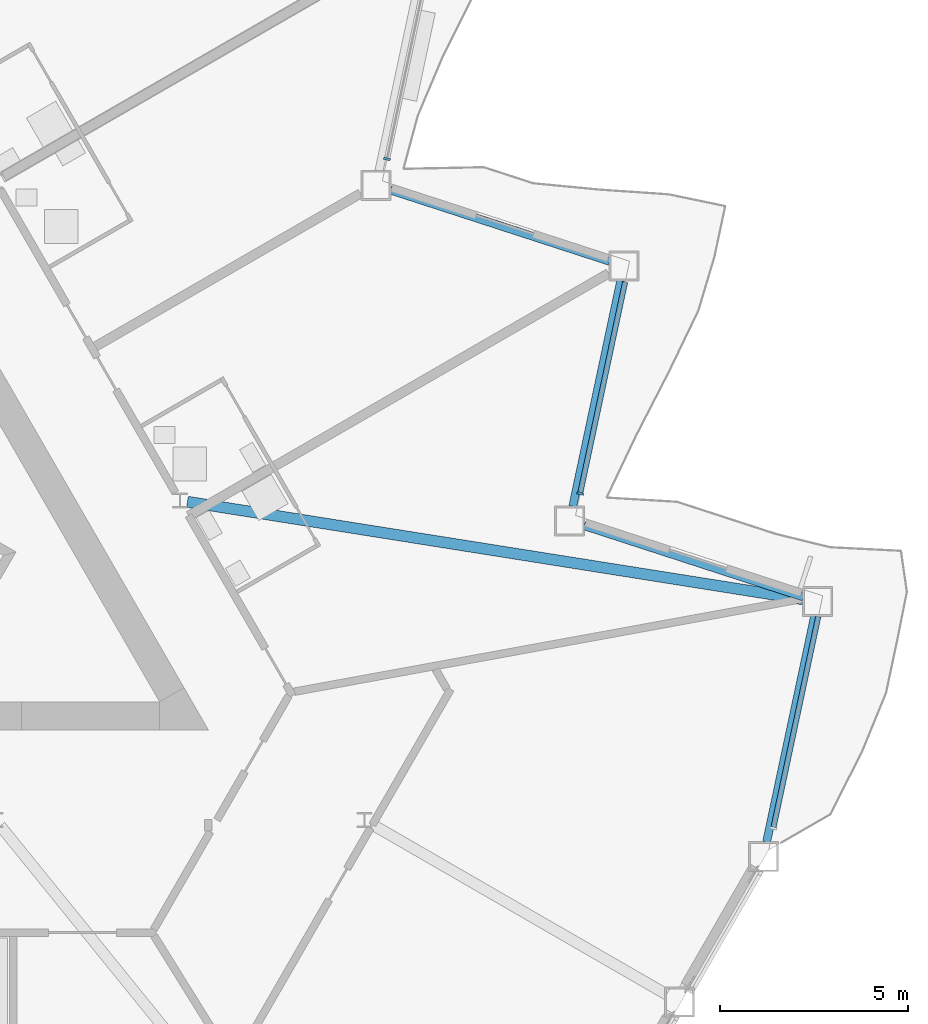
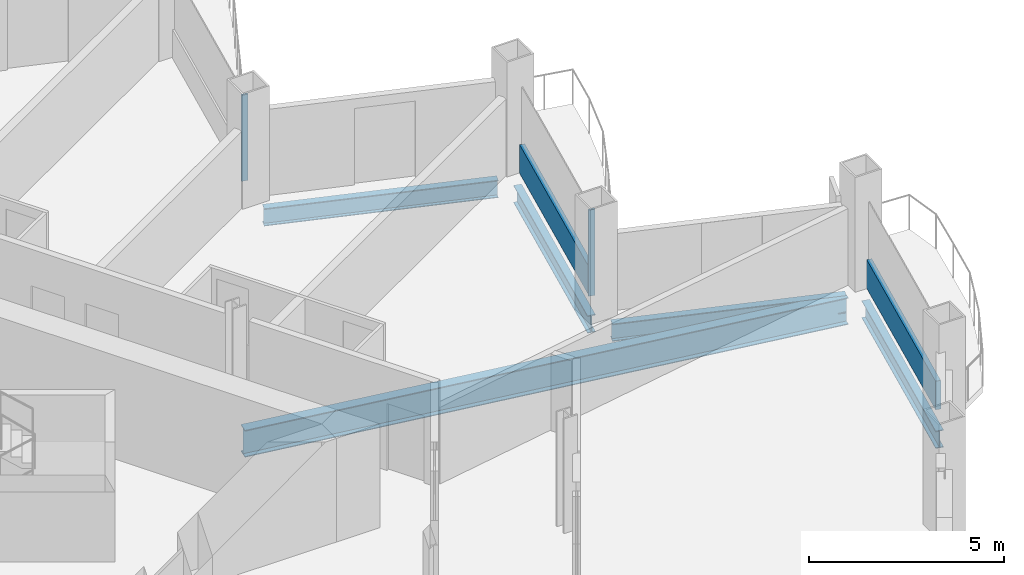
# One storey, part 7 of 24: 5 beams, 4 members, 3 elements without a shape of their own.
"""IFC4 building model written with IfcOpenShell, lengths in metres."""

from ifc_helpers import new_model, si_unit, direction, frame, origin, origin_2d, place, context, subcontext, project, spatial, rectangle, i_section, extrude, material, layer, layer_set, material_profile, profile_set, type_object, element, aggregate, save


model = new_model("IFC4")

# Units and contexts
model_context = context("Model", 3, precision=1e-05, world=origin(), true_north=direction((0.0, 1.0)))
body_context = subcontext(model_context, "Body", "Model", "MODEL_VIEW")
ifc_project = project(units=[si_unit("LENGTHUNIT", "METRE"), si_unit("AREAUNIT", "SQUARE_METRE"), si_unit("VOLUMEUNIT", "CUBIC_METRE"), si_unit("PLANEANGLEUNIT", "RADIAN"), si_unit("MASSUNIT", "GRAM", prefix="KILO")], contexts=[model_context])

# Site, building, storey
site_placement = place(None, origin())
site = spatial("IfcSite", under=ifc_project, at=site_placement, CompositionType="ELEMENT")
building_placement = place(site_placement, origin())
building = spatial("IfcBuilding", under=site, at=building_placement, Name="Cormorant Prow Tower", CompositionType="ELEMENT")
storey_placement = place(building_placement, frame((0.0, 0.0, 205.199951171875)))
storey = spatial("IfcBuildingStorey", under=building, at=storey_placement, Name="L45", CompositionType="ELEMENT", Elevation=205.199951171875)

# Curtain wall, member
ifc_material_1 = material(Name="Aluminium 6063-T6", Category="aluminium")
ifc_layer = layer(ifc_material_1, 0.179931640625)
ifc_layer_set = layer_set([ifc_layer], Name="Aluminium 6063-T6")
curtain_wall_type = type_object("IfcCurtainWallType", Name="Hotel unitised curtain wall 180", PredefinedType="NOTDEFINED", material=ifc_layer_set)
curtain_wall_1_placement = place(storey_placement, origin())
curtain_wall_1 = element("IfcCurtainWall", 1, at=curtain_wall_1_placement, inside=storey, type_object=curtain_wall_type, Name="Hotel curtain wall ENE02", PredefinedType="NOTDEFINED")
ifc_material_2 = material(Name="Aluminium 6063-T6", Category="aluminium")
ifc_material_profile_1 = material_profile(ifc_material_2, rectangle(XDim=0.179931640625, YDim=0.06005859375, at=origin_2d()), Name="Hotel mullion 60x180")
ifc_profile_set_1 = profile_set([ifc_material_profile_1], Name="Aluminium 6063-T6")
member_type_1 = type_object("IfcMemberType", Name="Hotel mullion 60x180", PredefinedType="MULLION", material=ifc_profile_set_1)
member_1_placement = place(storey_placement, frame((25.409423828125, -2.64990234375, 0.0), z_axis=(0.0, 0.0, 1.0), x_axis=(-0.978147605448, 0.207911668641, 0.0)))
member_1 = element("IfcMember", 2, at=member_1_placement, type_object=member_type_1, Name="Hotel mullion ENE02", PredefinedType="MULLION", context=body_context, shape_type="SweptSolid", body=[
    extrude(rectangle(XDim=0.179931640625, YDim=0.06005859375, at=origin_2d()), origin(), (0.0, 0.0, 1.0), 2.700927734375),
])

curtain_wall_2_placement = place(storey_placement, origin())
curtain_wall_2 = element("IfcCurtainWall", 3, at=curtain_wall_2_placement, inside=storey, type_object=curtain_wall_type, Name="Hotel curtain wall ENE04", PredefinedType="NOTDEFINED")
member_2_placement = place(storey_placement, frame((20.261474609375, 6.2666015625, 0.0), z_axis=(0.0, 0.0, 1.0), x_axis=(-0.978147576087, 0.20791180677, 0.0)))
member_2 = element("IfcMember", 4, at=member_2_placement, type_object=member_type_1, Name="Hotel mullion ENE04", PredefinedType="MULLION", context=body_context, shape_type="SweptSolid", body=[
    extrude(rectangle(XDim=0.179931640625, YDim=0.06005859375, at=origin_2d()), origin(), (0.0, 0.0, 1.0), 2.700927734375),
])
aggregate(curtain_wall_2, [member_2])

curtain_wall_3_placement = place(storey_placement, origin())
curtain_wall_3 = element("IfcCurtainWall", 5, at=curtain_wall_3_placement, inside=storey, type_object=curtain_wall_type, Name="Hotel curtain wall ENE00", PredefinedType="NOTDEFINED")
ifc_material_3 = material(Name="Terracotta", Category="masonry")
ifc_material_profile_2 = material_profile(ifc_material_3, rectangle(XDim=0.139892578125, YDim=0.89990234375, at=origin_2d()), Name="Hotel terracotta spandrel rail 140x900")
ifc_profile_set_2 = profile_set([ifc_material_profile_2], Name="Terracotta")
member_type_2 = type_object("IfcMemberType", Name="Hotel terracotta spandrel rail 140x900", PredefinedType="USERDEFINED", material=ifc_profile_set_2)
member_3_placement = place(storey_placement, frame((30.563720703125, -11.537353515625, 0.449951171875), z_axis=(0.207914285886, 0.978147049131, 0.0), x_axis=(-0.978147049131, 0.207914285886, 0.0)))
member_3 = element("IfcMember", 6, at=member_3_placement, type_object=member_type_2, Name="Hotel spandrel rail ENE00", ObjectType="TRANSOM", PredefinedType="USERDEFINED", context=body_context, shape_type="SweptSolid", body=[
    extrude(rectangle(XDim=0.139892578125, YDim=0.89990234375, at=origin_2d()), origin(), (0.0, 0.0, 1.0), 5.7314453125),
])
aggregate(curtain_wall_3, [member_3])

# Member
member_4_placement = place(storey_placement, frame((25.41552734375, -2.62060546875, 0.449951171875), z_axis=(0.207922949153, 0.978145207633, 0.0), x_axis=(-0.978145207633, 0.207922949153, 0.0)))
member_4 = element("IfcMember", 7, at=member_4_placement, type_object=member_type_2, Name="Hotel spandrel rail ENE02", ObjectType="TRANSOM", PredefinedType="USERDEFINED", context=body_context, shape_type="SweptSolid", body=[
    extrude(rectangle(XDim=0.139892578125, YDim=0.89990234375, at=origin_2d()), origin(), (0.0, 0.0, 1.0), 5.731201171875),
])

aggregate(curtain_wall_1, [member_1, member_4])

# Beams
ifc_material_4 = material(Name="Structural steel ASTM A992 Gr 50", Category="steel")
ifc_material_profile_3 = material_profile(ifc_material_4, i_section(OverallWidth=0.29296875, OverallDepth=0.845703125, WebThickness=0.015380859375, FlangeThickness=0.0244140625, at=origin_2d()), Name="W33x141")
ifc_profile_set_3 = profile_set([ifc_material_profile_3], Name="Structural steel ASTM A992 Gr 50")
beam_type_1 = type_object("IfcBeamType", Name="Radial floor beam W33x141", PredefinedType="BEAM", material=ifc_profile_set_3)
beam_1_placement = place(storey_placement, frame((14.94384765625, -2.869140625, -0.77294921875), z_axis=(0.987678058302, -0.156499371084, 0.0), x_axis=(0.156499371084, 0.987678058302, 0.0)))
element("IfcBeam", 8, at=beam_1_placement, inside=storey, type_object=beam_type_1, Name="Radial floor beam FB2 10 L45", PredefinedType="BEAM", context=body_context, shape_type="SweptSolid", body=[
    extrude(i_section(OverallWidth=0.29296875, OverallDepth=0.845703125, WebThickness=0.015380859375, FlangeThickness=0.0244140625, at=origin_2d()), origin(), (0.0, 0.0, 1.0), 16.604736328125),
])
ifc_material_5 = material(Name="Structural steel ASTM A992 Gr 50", Category="steel")
ifc_material_profile_4 = material_profile(ifc_material_5, i_section(OverallWidth=0.2138671875, OverallDepth=0.549072265625, WebThickness=0.0146484375, FlangeThickness=0.023681640625, at=origin_2d()), Name="W21x93")
ifc_profile_set_4 = profile_set([ifc_material_profile_4], Name="Structural steel ASTM A992 Gr 50")
beam_type_2 = type_object("IfcBeamType", Name="Spandrel beam W21x93", PredefinedType="SPANDREL", material=ifc_profile_set_4)
beam_2_placement = place(storey_placement, frame((30.377197265625, -11.93701171875, -0.62451171875), z_axis=(0.207904811195, 0.978149063018, 0.0), x_axis=(-0.978149063018, 0.207904811195, 0.0)))
element("IfcBeam", 9, at=beam_2_placement, inside=storey, type_object=beam_type_2, Name="Spandrel beam SB2 ENE00-ENE01 L45", PredefinedType="SPANDREL", context=body_context, shape_type="SweptSolid", body=[
    extrude(i_section(OverallWidth=0.2138671875, OverallDepth=0.549072265625, WebThickness=0.0146484375, FlangeThickness=0.023681640625, at=origin_2d()), origin(), (0.0, 0.0, 1.0), 6.149658203125),
])
beam_3_placement = place(storey_placement, frame((31.358642578125, -5.40673828125, -0.62451171875), z_axis=(-0.951057696564, 0.309013361859, 0.0), x_axis=(-0.309013361859, -0.951057696564, 0.0)))
element("IfcBeam", 10, at=beam_3_placement, inside=storey, type_object=beam_type_2, Name="Spandrel beam SB2 ENE01-ENE02 L45", PredefinedType="SPANDREL", context=body_context, shape_type="SweptSolid", body=[
    extrude(i_section(OverallWidth=0.2138671875, OverallDepth=0.549072265625, WebThickness=0.0146484375, FlangeThickness=0.023681640625, at=origin_2d()), origin(), (0.0, 0.0, 1.0), 6.14990234375),
])
beam_4_placement = place(storey_placement, frame((25.21240234375, -2.991455078125, -0.62451171875), z_axis=(0.207904811195, 0.978149063018, 0.0), x_axis=(-0.978149063018, 0.207904811195, 0.0)))
element("IfcBeam", 11, at=beam_4_placement, inside=storey, type_object=beam_type_2, Name="Spandrel beam SB2 ENE02-ENE03 L45", PredefinedType="SPANDREL", context=body_context, shape_type="SweptSolid", body=[
    extrude(i_section(OverallWidth=0.2138671875, OverallDepth=0.549072265625, WebThickness=0.0146484375, FlangeThickness=0.023681640625, at=origin_2d()), origin(), (0.0, 0.0, 1.0), 6.149658203125),
])
beam_5_placement = place(storey_placement, frame((26.19384765625, 3.538818359375, -0.62451171875), z_axis=(-0.951057696564, 0.309013361859, 0.0), x_axis=(-0.309013361859, -0.951057696564, 0.0)))
element("IfcBeam", 12, at=beam_5_placement, inside=storey, type_object=beam_type_2, Name="Spandrel beam SB2 ENE03-ENE04 L45", PredefinedType="SPANDREL", context=body_context, shape_type="SweptSolid", body=[
    extrude(i_section(OverallWidth=0.2138671875, OverallDepth=0.549072265625, WebThickness=0.0146484375, FlangeThickness=0.023681640625, at=origin_2d()), origin(), (0.0, 0.0, 1.0), 6.14990234375),
])

save(model, "model.ifc")
